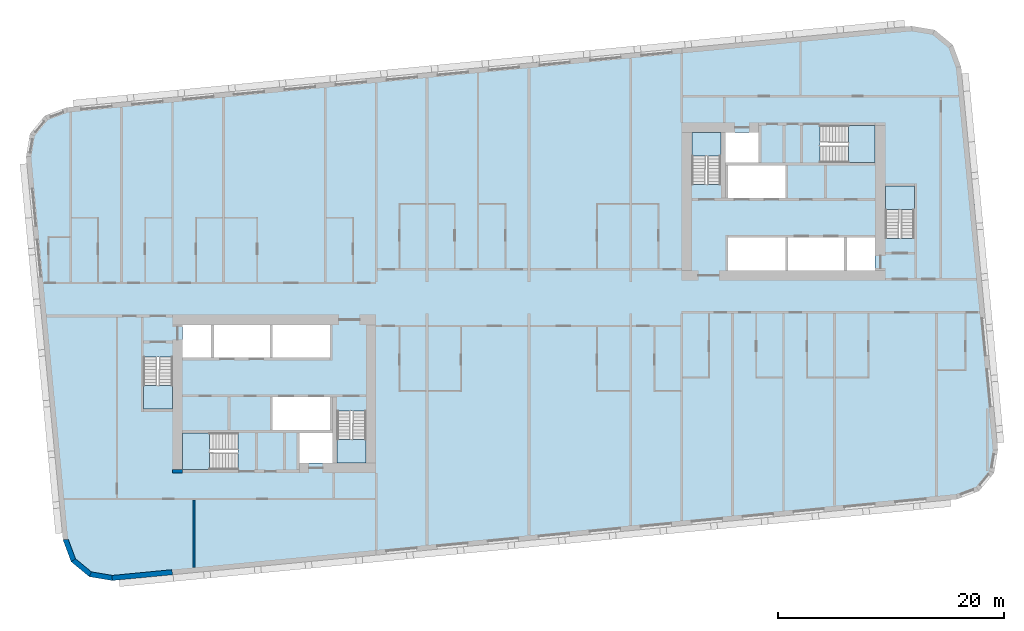
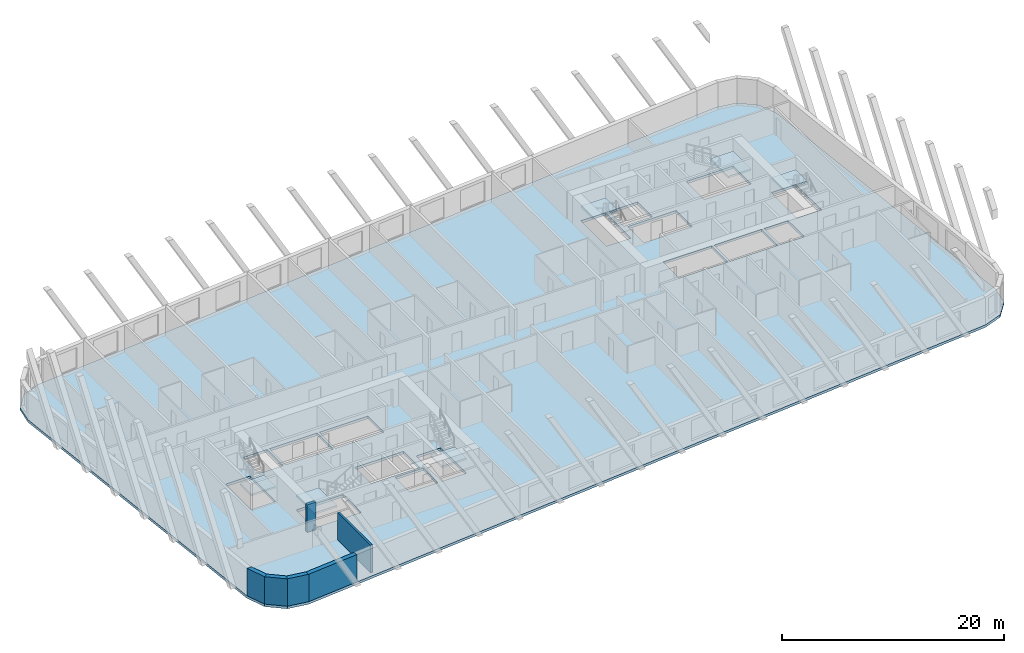
# One storey, part 1 of 13: 7 slabs, 6 walls, 6 elements without a shape of their own.
"""IFC4 building model written with IfcOpenShell, lengths in metres."""

from ifc_helpers import new_model, si_unit, direction, frame, frame_2d, origin, place, context, subcontext, project, spatial, polyline, rectangle, outline, extrude, material, layer, layer_set, type_object, element, aggregate, save


model = new_model("IFC4")

# Units and contexts
model_context = context("Model", 3, precision=1e-05, world=origin(), true_north=direction((0.0, 1.0)))
body_context = subcontext(model_context, "Body", "Model", "MODEL_VIEW")
ifc_project = project(units=[si_unit("LENGTHUNIT", "METRE"), si_unit("AREAUNIT", "SQUARE_METRE"), si_unit("VOLUMEUNIT", "CUBIC_METRE"), si_unit("PLANEANGLEUNIT", "RADIAN"), si_unit("MASSUNIT", "GRAM", prefix="KILO")], contexts=[model_context])

# Site, building, storey
site_placement = place(None, origin())
site = spatial("IfcSite", under=ifc_project, at=site_placement, CompositionType="ELEMENT")
building_placement = place(site_placement, origin())
building = spatial("IfcBuilding", under=site, at=building_placement, Name="Kajstack Hotel Tower", CompositionType="ELEMENT")
storey_placement = place(building_placement, frame((0.0, 0.0, 166.89990234375)))
storey = spatial("IfcBuildingStorey", under=building, at=storey_placement, Name="L38", CompositionType="ELEMENT", Elevation=166.89990234375)

# Slab
ifc_material_1 = material(Name="Concrete C40/50", Category="concrete")
ifc_layer_1 = layer(ifc_material_1, 0.280029296875)
ifc_layer_set_1 = layer_set([ifc_layer_1], Name="RC slab 280 C40/50 guest")
slab_type_1 = type_object("IfcSlabType", Name="RC slab 280 C40/50 guest", PredefinedType="FLOOR", material=ifc_layer_set_1)
slab_1_placement = place(storey_placement, frame((0.0, 0.0, -0.27978515625)))
element("IfcSlab", 1, at=slab_1_placement, inside=storey, type_object=slab_type_1, Name="S-slab-L38", PredefinedType="FLOOR", context=body_context, shape_type="SweptSolid", body=[
    extrude(outline(polyline([(-44.438232421875, 12.444091796875), (-41.1796875, -21.3994140625), (-40.454345703125, -23.3388671875), (-38.856689453125, -24.65576171875), (-36.814697265625, -24.99755859375), (37.840087890625, -17.80908203125), (39.779541015625, -17.083984375), (41.0966796875, -15.486328125), (41.438232421875, -13.444091796875), (38.1796875, 20.3994140625), (37.454345703125, 22.3388671875), (35.856689453125, 23.65576171875), (33.814697265625, 23.99755859375), (-40.840087890625, 16.80908203125), (-42.779541015625, 16.083984375), (-44.0966796875, 14.486328125), (-44.438232421875, 12.444091796875)]), holes=[polyline([(-22.64990234375, -11.699951171875), (-22.64990234375, -8.800048828125), (-17.60009765625, -8.800048828125), (-17.60009765625, -11.699951171875), (-22.64990234375, -11.699951171875)]), polyline([(-27.85009765625, -5.300048828125), (-27.85009765625, -2.39990234375), (-22.89990234375, -2.39990234375), (-22.89990234375, -5.300048828125), (-27.85009765625, -5.300048828125)]), polyline([(-22.64990234375, -5.300048828125), (-22.64990234375, -2.39990234375), (-17.60009765625, -2.39990234375), (-17.60009765625, -5.300048828125), (-22.64990234375, -5.300048828125)]), polyline([(-20.300048828125, -14.60009765625), (-17.35009765625, -14.60009765625), (-17.35009765625, -11.949951171875), (-20.300048828125, -11.949951171875), (-20.300048828125, -14.60009765625)]), polyline([(-30.60009765625, -5.300048828125), (-28.10009765625, -5.300048828125), (-28.10009765625, -2.39990234375), (-30.60009765625, -2.39990234375), (-30.60009765625, -5.300048828125)]), polyline([(17.60009765625, 8.800048828125), (17.60009765625, 11.699951171875), (22.64990234375, 11.699951171875), (22.64990234375, 8.800048828125), (17.60009765625, 8.800048828125)]), polyline([(22.89990234375, 2.39990234375), (22.89990234375, 5.300048828125), (27.85009765625, 5.300048828125), (27.85009765625, 2.39990234375), (22.89990234375, 2.39990234375)]), polyline([(17.60009765625, 2.39990234375), (17.60009765625, 5.300048828125), (22.64990234375, 5.300048828125), (22.64990234375, 2.39990234375), (17.60009765625, 2.39990234375)]), polyline([(20.300048828125, 14.60009765625), (17.35009765625, 14.60009765625), (17.35009765625, 11.949951171875), (20.300048828125, 11.949951171875), (20.300048828125, 14.60009765625)]), polyline([(30.60009765625, 5.300048828125), (28.10009765625, 5.300048828125), (28.10009765625, 2.39990234375), (30.60009765625, 2.39990234375), (30.60009765625, 5.300048828125)]), polyline([(-34.050048828125, -9.85009765625), (-31.5, -9.85009765625), (-31.5, -5.25), (-34.050048828125, -5.25), (-34.050048828125, -9.85009765625)]), polyline([(-16.949951171875, -14.60009765625), (-14.39990234375, -14.60009765625), (-14.39990234375, -10.0), (-16.949951171875, -10.0), (-16.949951171875, -14.60009765625)]), polyline([(-30.60009765625, -15.199951171875), (-25.699951171875, -15.199951171875), (-25.699951171875, -11.949951171875), (-30.60009765625, -11.949951171875), (-30.60009765625, -15.199951171875)]), polyline([(34.050048828125, 9.85009765625), (31.5, 9.85009765625), (31.5, 5.25), (34.050048828125, 5.25), (34.050048828125, 9.85009765625)]), polyline([(16.949951171875, 14.60009765625), (14.39990234375, 14.60009765625), (14.39990234375, 10.0), (16.949951171875, 10.0), (16.949951171875, 14.60009765625)]), polyline([(30.60009765625, 15.199951171875), (25.699951171875, 15.199951171875), (25.699951171875, 11.949951171875), (30.60009765625, 11.949951171875), (30.60009765625, 15.199951171875)])]), origin(), (0.0, 0.0, 1.0), 0.27978515625),
])

# Stair, slab
stair_type_1 = type_object("IfcStairType", Name="Exit stair 1200", PredefinedType="HALF_TURN_STAIR", material=ifc_material_1)
stair_1_placement = place(storey_placement, origin())
stair_1 = element("IfcStair", 2, at=stair_1_placement, inside=storey, type_object=stair_type_1, Name="L38 stair W1", PredefinedType="HALF_TURN_STAIR")
ifc_layer_2 = layer(ifc_material_1, 0.199951171875)
ifc_layer_set_2 = layer_set([ifc_layer_2], Name="Stair landing 200")
slab_type_2 = type_object("IfcSlabType", Name="Stair landing 200", PredefinedType="LANDING", material=ifc_layer_set_2)
slab_2_placement = place(storey_placement, frame((0.0, 0.0, 1.4501953125)))
slab_2 = element("IfcSlab", 3, at=slab_2_placement, type_object=slab_type_2, Name="W1 landing 1", PredefinedType="LANDING", context=body_context, shape_type="SweptSolid", body=[
    extrude(outline(polyline([(-34.050048828125, -7.77001953125), (-34.050048828125, -9.85009765625), (-31.5, -9.85009765625), (-31.5, -7.77001953125), (-34.050048828125, -7.77001953125)])), origin(), (0.0, 0.0, 1.0), 0.199951171875),
])
aggregate(stair_1, [slab_2])

stair_2_placement = place(storey_placement, origin())
stair_2 = element("IfcStair", 4, at=stair_2_placement, inside=storey, type_object=stair_type_1, Name="L38 stair W2", PredefinedType="HALF_TURN_STAIR")
slab_3_placement = place(storey_placement, frame((0.0, 0.0, 1.4501953125)))
slab_3 = element("IfcSlab", 5, at=slab_3_placement, type_object=slab_type_2, Name="W2 landing 1", PredefinedType="LANDING", context=body_context, shape_type="SweptSolid", body=[
    extrude(outline(polyline([(-16.949951171875, -12.52001953125), (-16.949951171875, -14.60009765625), (-14.39990234375, -14.60009765625), (-14.39990234375, -12.52001953125), (-16.949951171875, -12.52001953125)])), origin(), (0.0, 0.0, 1.0), 0.199951171875),
])
aggregate(stair_2, [slab_3])

stair_type_2 = type_object("IfcStairType", Name="Exit stair 1500", PredefinedType="HALF_TURN_STAIR", material=ifc_material_1)
stair_3_placement = place(storey_placement, origin())
stair_3 = element("IfcStair", 6, at=stair_3_placement, inside=storey, type_object=stair_type_2, Name="L38 stair W3", PredefinedType="HALF_TURN_STAIR")
slab_4_placement = place(storey_placement, frame((0.0, 0.0, 1.4501953125)))
slab_4 = element("IfcSlab", 7, at=slab_4_placement, type_object=slab_type_2, Name="W3 landing 1", PredefinedType="LANDING", context=body_context, shape_type="SweptSolid", body=[
    extrude(outline(polyline([(-28.219970703125, -11.949951171875), (-30.60009765625, -11.949951171875), (-30.60009765625, -15.199951171875), (-28.219970703125, -15.199951171875), (-28.219970703125, -11.949951171875)])), origin(), (0.0, 0.0, 1.0), 0.199951171875),
])
aggregate(stair_3, [slab_4])

stair_4_placement = place(storey_placement, origin())
stair_4 = element("IfcStair", 8, at=stair_4_placement, inside=storey, type_object=stair_type_1, Name="L38 stair E1", PredefinedType="HALF_TURN_STAIR")
slab_5_placement = place(storey_placement, frame((0.0, 0.0, 1.4501953125)))
slab_5 = element("IfcSlab", 9, at=slab_5_placement, type_object=slab_type_2, Name="E1 landing 1", PredefinedType="LANDING", context=body_context, shape_type="SweptSolid", body=[
    extrude(outline(polyline([(34.050048828125, 7.77001953125), (34.050048828125, 9.85009765625), (31.5, 9.85009765625), (31.5, 7.77001953125), (34.050048828125, 7.77001953125)])), origin(), (0.0, 0.0, 1.0), 0.199951171875),
])
aggregate(stair_4, [slab_5])

stair_5_placement = place(storey_placement, origin())
stair_5 = element("IfcStair", 10, at=stair_5_placement, inside=storey, type_object=stair_type_1, Name="L38 stair E2", PredefinedType="HALF_TURN_STAIR")
slab_6_placement = place(storey_placement, frame((0.0, 0.0, 1.4501953125)))
slab_6 = element("IfcSlab", 11, at=slab_6_placement, type_object=slab_type_2, Name="E2 landing 1", PredefinedType="LANDING", context=body_context, shape_type="SweptSolid", body=[
    extrude(outline(polyline([(16.949951171875, 12.52001953125), (16.949951171875, 14.60009765625), (14.39990234375, 14.60009765625), (14.39990234375, 12.52001953125), (16.949951171875, 12.52001953125)])), origin(), (0.0, 0.0, 1.0), 0.199951171875),
])
aggregate(stair_5, [slab_6])

stair_6_placement = place(storey_placement, origin())
stair_6 = element("IfcStair", 12, at=stair_6_placement, inside=storey, type_object=stair_type_2, Name="L38 stair E3", PredefinedType="HALF_TURN_STAIR")
slab_7_placement = place(storey_placement, frame((0.0, 0.0, 1.4501953125)))
slab_7 = element("IfcSlab", 13, at=slab_7_placement, type_object=slab_type_2, Name="E3 landing 1", PredefinedType="LANDING", context=body_context, shape_type="SweptSolid", body=[
    extrude(outline(polyline([(28.219970703125, 11.949951171875), (30.60009765625, 11.949951171875), (30.60009765625, 15.199951171875), (28.219970703125, 15.199951171875), (28.219970703125, 11.949951171875)])), origin(), (0.0, 0.0, 1.0), 0.199951171875),
])
aggregate(stair_6, [slab_7])

# Walls
ifc_material_2 = material(Name="Concrete C60/75", Category="concrete")
ifc_layer_3 = layer(ifc_material_2, 0.89990234375)
ifc_layer_set_3 = layer_set([ifc_layer_3], Name="Core wall 900")
wall_type_1 = type_object("IfcWallType", Name="Core wall 900", PredefinedType="SHEAR", material=ifc_layer_set_3)
wall_1_placement = place(storey_placement, frame((-31.5, -15.35009765625, 0.0), z_axis=(0.0, 0.0, 1.0), x_axis=(1.0, 0.0, 0.0)))
element("IfcWall", 14, at=wall_1_placement, inside=storey, type_object=wall_type_1, Name="Core wall W RSW", PredefinedType="SHEAR", context=body_context, shape_type="SweptSolid", body=[
    extrude(rectangle(XDim=0.89990234375, YDim=0.300048828125, at=frame_2d((0.449951171875, 0.0))), origin(), (0.0, 0.0, 1.0), 3.02001953125),
])
ifc_material_3 = material(Name="Terracotta-faced brick masonry", Category="masonry")
ifc_layer_4 = layer(ifc_material_3, 0.449951171875)
ifc_layer_set_4 = layer_set([ifc_layer_4], Name="EW-TERRA")
wall_type_2 = type_object("IfcWallType", Name="EW-TERRA", PredefinedType="SOLIDWALL", material=ifc_layer_set_4)
wall_2_placement = place(storey_placement, frame((-40.96875, -21.320556640625, 0.0), z_axis=(0.0, 0.0, 1.0), x_axis=(0.350192909346, -0.936677599948, 0.0)))
element("IfcWall", 15, at=wall_2_placement, inside=storey, type_object=wall_type_2, Name="E-wall-L38-01-00", PredefinedType="SOLIDWALL", context=body_context, shape_type="SweptSolid", body=[
    extrude(outline(polyline([(0.0, -0.22509765625), (2.070556640625, -0.22509765625), (1.949951171875, 0.22509765625), (0.12060546875, 0.224853515625), (0.0, -0.22509765625)])), origin(), (0.0, 0.0, 1.0), 3.02001953125),
])
wall_3_placement = place(storey_placement, frame((-40.311279296875, -23.165283203125, 0.0), z_axis=(0.0, 0.0, 1.0), x_axis=(0.771651049663, -0.636046112757, 0.0)))
element("IfcWall", 16, at=wall_3_placement, inside=storey, type_object=wall_type_2, Name="E-wall-L38-02-00", PredefinedType="SOLIDWALL", context=body_context, shape_type="SweptSolid", body=[
    extrude(outline(polyline([(0.0, -0.224853515625), (2.0703125, -0.22509765625), (1.94970703125, 0.224853515625), (0.12060546875, 0.22509765625), (0.0, -0.224853515625)])), origin(), (0.0, 0.0, 1.0), 3.02001953125),
])
wall_4_placement = place(storey_placement, frame((-38.819580078125, -24.433837890625, 0.0), z_axis=(0.0, 0.0, 1.0), x_axis=(0.986278951104, -0.165087342366, 0.0)))
element("IfcWall", 17, at=wall_4_placement, inside=storey, type_object=wall_type_2, Name="E-wall-L38-03-00", PredefinedType="SOLIDWALL", context=body_context, shape_type="SweptSolid", body=[
    extrude(outline(polyline([(0.0, -0.22509765625), (2.070556640625, -0.224853515625), (1.949951171875, 0.22509765625), (0.12060546875, 0.224853515625), (0.0, -0.22509765625)])), origin(), (0.0, 0.0, 1.0), 3.02001953125),
])
wall_5_placement = place(storey_placement, frame((-36.836181640625, -24.7734375, 0.0), z_axis=(0.0, 0.0, 1.0), x_axis=(0.995396705659, 0.095840483948, 0.0)))
element("IfcWall", 18, at=wall_5_placement, inside=storey, type_object=wall_type_2, Name="E-wall-L38-04-00", PredefinedType="SOLIDWALL", context=body_context, shape_type="SweptSolid", body=[
    extrude(rectangle(XDim=5.33935546875, YDim=0.449951171875, at=frame_2d((2.669677734375, 0.0))), origin(), (0.0, 0.0, 1.0), 3.02001953125),
])
ifc_material_4 = material(Name="Gypsum board on steel studs, mineral wool", Category="steel")
ifc_layer_5 = layer(ifc_material_4, 0.199951171875)
ifc_layer_set_5 = layer_set([ifc_layer_5], Name="Service partition 200")
wall_type_3 = type_object("IfcWallType", Name="Service partition 200", PredefinedType="PARTITIONING", material=ifc_layer_set_5)
wall_6_placement = place(storey_placement, frame((-29.60009765625, -23.851806640625, 0.0), z_axis=(0.0, 0.0, 1.0), x_axis=(0.0, 1.0, 0.0)))
element("IfcWall", 19, at=wall_6_placement, inside=storey, type_object=wall_type_3, Name="Partition W SLP0", PredefinedType="PARTITIONING", context=body_context, shape_type="SweptSolid", body=[
    extrude(rectangle(XDim=5.951904296875, YDim=0.199951171875, at=frame_2d((2.97607421875, 0.0))), origin(), (0.0, 0.0, 1.0), 3.02001953125),
])

save(model, "model.ifc")
